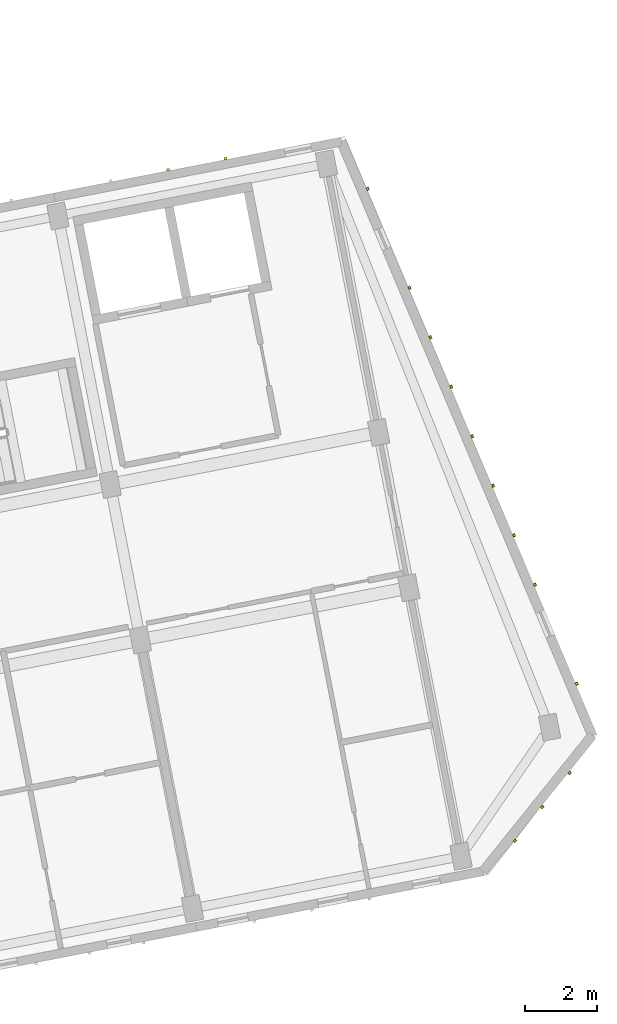
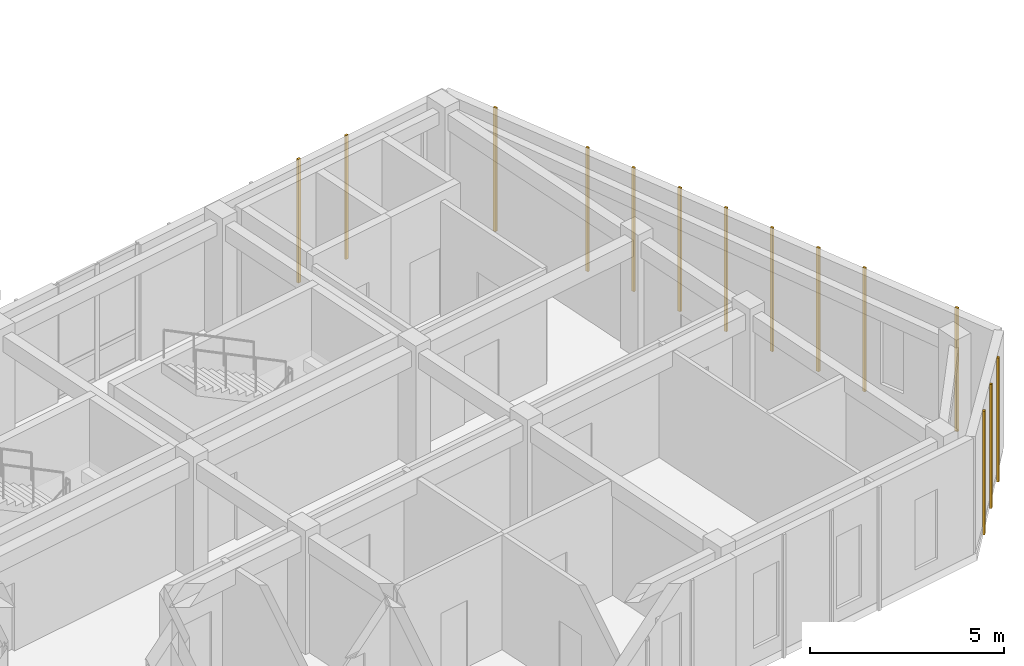
# One storey, part 144 of 150: 14 coverings.
"""IFC4 building model written with IfcOpenShell, lengths in metres."""

import ifcopenshell
import ifcopenshell.guid

model = None  # the IFC model being written
_history = None  # IfcOwnerHistory: only IFC2X3 demands one
_inside = {}  # id of a spatial element -> (the spatial element, [elements in it])
_under = {}  # id of a project, library or spatial element -> (it, [spatial elements below it])
_declared = {}  # id of a project -> (the project, [libraries it declares])
_typed = {}  # id of a type object -> (the type object, [elements of that type])
_made_of = {}  # id of a material, layer set ... -> (it, [elements and type objects made of it])


def new_model(schema):
    """Start an empty IFC model of exactly this schema.

    Asked for "IFC4X3", IfcOpenShell would pick the latest addendum, in which some entities
    have other attributes; the version numbers below select the first issue.
    IFC2X3 requires an IfcOwnerHistory on every rooted entity: one is made here for all.
    """
    global model, _history
    if schema == "IFC4X3":
        model = ifcopenshell.file(schema_version=(4, 3, 0, 0))
    else:
        model = ifcopenshell.file(schema=schema)
    _inside.clear()
    _under.clear()
    _declared.clear()
    _typed.clear()
    _made_of.clear()
    _history = None
    if model.schema == "IFC2X3":
        org = make("IfcOrganization", Name="unknown")
        user = make(
            "IfcPersonAndOrganization",
            ThePerson=make("IfcPerson", FamilyName="unknown"),
            TheOrganization=org,
        )
        app = make(
            "IfcApplication",
            ApplicationDeveloper=org,
            Version="unknown",
            ApplicationFullName="unknown",
            ApplicationIdentifier="unknown",
        )
        _history = make(
            "IfcOwnerHistory",
            OwningUser=user,
            OwningApplication=app,
            ChangeAction="ADDED",
            CreationDate=0,
        )
    return model


def make(cls, **values):
    """One entity of the class cls with the attributes given. An attribute that is None is left unset."""
    return model.create_entity(
        cls, **{name: value for name, value in values.items() if value is not None}
    )


def rooted(cls, **values):
    """An entity with a GlobalId (a new one), such as an element, a storey or a relation."""
    return make(cls, GlobalId=ifcopenshell.guid.new(), OwnerHistory=_history, **values)


def si_unit(unit_type, name, prefix=None):
    """IfcSIUnit, for example si_unit("LENGTHUNIT", "METRE", prefix="MILLI")."""
    return make("IfcSIUnit", UnitType=unit_type, Prefix=prefix, Name=name)


def assignment(units):
    """IfcUnitAssignment: the units of a project."""
    return None if units is None else make("IfcUnitAssignment", Units=units)


def point(xyz):
    """IfcCartesianPoint."""
    return None if xyz is None else make("IfcCartesianPoint", Coordinates=xyz)


def direction(xyz):
    """IfcDirection."""
    return None if xyz is None else make("IfcDirection", DirectionRatios=xyz)


def frame(location, z_axis=None, x_axis=None):
    """IfcAxis2Placement3D, a coordinate frame: its origin and axes. An axis left out is left unset."""
    return make(
        "IfcAxis2Placement3D",
        Location=point(location),
        Axis=direction(z_axis),
        RefDirection=direction(x_axis),
    )


def frame_2d(location, x_axis=None):
    """IfcAxis2Placement2D, a coordinate frame in the plane: its origin and x axis."""
    return make(
        "IfcAxis2Placement2D", Location=point(location), RefDirection=direction(x_axis)
    )


def origin():
    """The frame at (0, 0, 0) with its axes left unset."""
    return frame((0.0, 0.0, 0.0))


def origin_2d():
    """The frame at (0, 0) in the plane with its x axis left unset."""
    return frame_2d((0.0, 0.0))


def place(relative_to, where):
    """IfcLocalPlacement: puts the frame where relative to a parent placement (None: the world)."""
    return make(
        "IfcLocalPlacement", PlacementRelTo=relative_to, RelativePlacement=where
    )


def context(
    kind, dimensions, precision=None, world=None, true_north=None, identifier=None
):
    """IfcGeometricRepresentationContext, for example the 3D "Model" context."""
    return make(
        "IfcGeometricRepresentationContext",
        ContextIdentifier=identifier,
        ContextType=kind,
        CoordinateSpaceDimension=dimensions,
        Precision=precision,
        WorldCoordinateSystem=world,
        TrueNorth=true_north,
    )


def subcontext(parent, identifier, kind, view, scale=None):
    """IfcGeometricRepresentationSubContext, for example "Body" below "Model"."""
    return make(
        "IfcGeometricRepresentationSubContext",
        ContextIdentifier=identifier,
        ContextType=kind,
        ParentContext=parent,
        TargetScale=scale,
        TargetView=view,
    )


def project(units=None, contexts=None):
    """IfcProject with its units and contexts."""
    return rooted(
        "IfcProject",
        Name="project",
        RepresentationContexts=contexts,
        UnitsInContext=assignment(units),
    )


def spatial(cls, under=None, at=None, **own):
    """A site, building, storey or space (cls), placed at a placement, below another one or the project."""
    s = rooted(cls, ObjectPlacement=at, **own)
    if under is not None:
        _under.setdefault(under.id(), (under, []))[1].append(s)
    return s


def profile(cls, at=None, kind="AREA", **sizes):
    """A parametric profile (cls). Its sizes go by their IFC names, for example OverallWidth=200.0."""
    return make(cls, ProfileType=kind, Position=at, **sizes)


def rectangle(**sizes):
    """IfcRectangleProfileDef."""
    return profile("IfcRectangleProfileDef", **sizes)


def extrude(swept, where, along, depth):
    """IfcExtrudedAreaSolid: the profile swept, set in the frame where, extruded along a direction by depth."""
    return make(
        "IfcExtrudedAreaSolid",
        SweptArea=swept,
        Position=where,
        ExtrudedDirection=direction(along),
        Depth=depth,
    )


def shape(context_of_items, identifier, shape_type, items):
    """IfcShapeRepresentation: the items that make up one representation, for example the "Body"."""
    return make(
        "IfcShapeRepresentation",
        ContextOfItems=context_of_items,
        RepresentationIdentifier=identifier,
        RepresentationType=shape_type,
        Items=items,
    )


def material(Name=None, Category=None):
    """IfcMaterial."""
    return make("IfcMaterial", Name=Name, Category=Category)


def layer(
    of_material, thickness, ventilated=None, Name=None, Category=None, Priority=None
):
    """IfcMaterialLayer: one layer of a wall or slab, of a material (None: an air gap)."""
    return make(
        "IfcMaterialLayer",
        Material=of_material,
        LayerThickness=thickness,
        IsVentilated=ventilated,
        Name=Name,
        Category=Category,
        Priority=Priority,
    )


def layer_set(layers, Name=None):
    """IfcMaterialLayerSet."""
    return make("IfcMaterialLayerSet", MaterialLayers=layers, LayerSetName=Name)


def made_of(thing, what):
    """Note that an element or type object is made of a material, layer set ...; save() writes the relation."""
    if what is not None:
        _made_of.setdefault(what.id(), (what, []))[1].append(thing)
    return thing


def type_object(cls, material=None, **own):
    """A type object (cls), such as IfcWallType, which elements share."""
    return made_of(rooted(cls, **own), material)


def element(
    cls,
    number,
    at=None,
    inside=None,
    cuts=None,
    type_object=None,
    material=None,
    context=None,
    identifier="Body",
    shape_type=None,
    held_by="IfcProductDefinitionShape",
    body=None,
    shapes=None,
    **own,
):
    """One element of the class cls, such as IfcWall. Its Tag is "e" and its number.

    at: its placement. inside: the storey or other place that contains it. cuts: it is an
    opening in that element (IfcRelVoidsElement). A single representation is given by context,
    identifier, shape_type and body (its items); several are given by shapes. held_by: the class
    of the entity that holds the representations. save() writes the other relations.
    """
    e = rooted(cls, Tag="e%d" % number, ObjectPlacement=at, **own)
    if body is not None:
        shapes = [shape(context, identifier, shape_type, body)]
    if shapes is not None:
        e.Representation = make(held_by, Representations=shapes)
    if inside is not None:
        _inside.setdefault(inside.id(), (inside, []))[1].append(e)
    if cuts is not None:
        rooted(
            "IfcRelVoidsElement", RelatingBuildingElement=cuts, RelatedOpeningElement=e
        )
    if type_object is not None:
        _typed.setdefault(type_object.id(), (type_object, []))[1].append(e)
    return made_of(e, material)


def aggregate(whole, parts):
    """IfcRelAggregates: a whole, such as a stair, and the parts it consists of."""
    return rooted("IfcRelAggregates", RelatingObject=whole, RelatedObjects=parts)


def save(model, path):
    """Write the relations noted so far, then the file.

    IfcRelAggregates (storeys below a building ...), IfcRelContainedInSpatialStructure (elements
    in a storey), IfcRelDefinesByType, IfcRelAssociatesMaterial and IfcRelDeclares: one each for
    every whole, place, type object, material and project.
    """
    for whole, parts in _under.values():
        aggregate(whole, parts)
    for where, things in _inside.values():
        rooted(
            "IfcRelContainedInSpatialStructure",
            RelatedElements=things,
            RelatingStructure=where,
        )
    for kind, things in _typed.values():
        rooted("IfcRelDefinesByType", RelatedObjects=things, RelatingType=kind)
    for what, things in _made_of.values():
        rooted("IfcRelAssociatesMaterial", RelatedObjects=things, RelatingMaterial=what)
    for by, libraries in _declared.values():
        rooted("IfcRelDeclares", RelatingContext=by, RelatedDefinitions=libraries)
    model.write(path)


model = new_model("IFC4")

# Units and contexts
model_context = context("Model", 3, precision=1e-05, world=origin(), true_north=direction((0.0, 1.0)))
body_context = subcontext(model_context, "Body", "Model", "MODEL_VIEW")
ifc_project = project(units=[si_unit("LENGTHUNIT", "METRE"), si_unit("AREAUNIT", "SQUARE_METRE"), si_unit("VOLUMEUNIT", "CUBIC_METRE"), si_unit("PLANEANGLEUNIT", "RADIAN"), si_unit("MASSUNIT", "GRAM", prefix="KILO")], contexts=[model_context])

# Site, building, storey
site_placement = place(None, origin())
site = spatial("IfcSite", under=ifc_project, at=site_placement, CompositionType="ELEMENT")
building_placement = place(site_placement, origin())
building = spatial("IfcBuilding", under=site, at=building_placement, Name="Kestramere Prow Commons", CompositionType="ELEMENT")
storey_placement = place(building_placement, frame((0.0, 0.0, 4.5)))
storey = spatial("IfcBuildingStorey", under=building, at=storey_placement, Name="L01", CompositionType="ELEMENT", Elevation=4.5)

# Coverings
ifc_material = material(Name="Weathered Zinc-Titanium Standing-Seam Cladding")
ifc_layer = layer(ifc_material, 0.074951171875)
ifc_layer_set = layer_set([ifc_layer], Name="Weathered Zinc-Titanium Standing-Seam Cladding")
covering_type = type_object("IfcCoveringType", Name="COV-CLAD-SEAM", PredefinedType="CLADDING", material=ifc_layer_set)
for number, where, z_axis, x_axis, name in (
    (1, (155.02294921875, 61.77587890625, -0.25), (0.0, 0.0, 1.0), (0.981627183448, 0.190808995377, 0.0), "EW-D-L01-N-5 Standing-Seam Rib 2"),
    (2, (156.6181640625, 62.0859375, -0.25), (0.0, 0.0, 1.0), (0.981627183448, 0.190808995377, 0.0), "EW-D-L01-N-5 Standing-Seam Rib 3"),
    (3, (160.568115234375, 61.24462890625, -0.25), (0.0, 0.0, 1.0), (0.389220414317, -0.92114465155, 0.0), "EW-D-L01-PRW-N Standing-Seam Rib 1"),
    (4, (161.72998046875, 58.4951171875, -0.25), (0.0, 0.0, 1.0), (0.389220414317, -0.92114465155, 0.0), "EW-D-L01-PRW-N Standing-Seam Rib 3"),
    (5, (162.310791015625, 57.1201171875, -0.25), (0.0, 0.0, 1.0), (0.389220414317, -0.92114465155, 0.0), "EW-D-L01-PRW-N Standing-Seam Rib 4"),
    (6, (162.891845703125, 55.745361328125, -0.25), (0.0, 0.0, 1.0), (0.389220414317, -0.92114465155, 0.0), "EW-D-L01-PRW-N Standing-Seam Rib 5"),
    (7, (163.47265625, 54.37060546875, -0.25), (0.0, 0.0, 1.0), (0.389220414317, -0.92114465155, 0.0), "EW-D-L01-PRW-N Standing-Seam Rib 6"),
    (8, (164.0537109375, 52.995849609375, -0.25), (0.0, 0.0, 1.0), (0.389220414317, -0.92114465155, 0.0), "EW-D-L01-PRW-N Standing-Seam Rib 7"),
    (9, (164.634521484375, 51.620849609375, -0.25), (0.0, 0.0, 1.0), (0.389220414317, -0.92114465155, 0.0), "EW-D-L01-PRW-N Standing-Seam Rib 8"),
    (10, (165.215576171875, 50.24609375, -0.25), (0.0, 0.0, 1.0), (0.389220414317, -0.92114465155, 0.0), "EW-D-L01-PRW-N Standing-Seam Rib 9"),
    (11, (166.37744140625, 47.496337890625, -0.25), (0.0, 0.0, 1.0), (0.389220414317, -0.92114465155, 0.0), "EW-D-L01-PRW-N Standing-Seam Rib 11"),
    (12, (166.177490234375, 45.013427734375, -0.25), (0.0, 0.0, 1.0), (-0.626297717754, -0.779583971575, 0.0), "EW-D-L01-PRW-S Standing-Seam Rib 1"),
    (13, (165.419921875, 44.0703125, -0.25), (0.0, 0.0, 1.0), (-0.626297717754, -0.779583971575, 0.0), "EW-D-L01-PRW-S Standing-Seam Rib 2"),
    (14, (164.662109375, 43.127197265625, -0.25), (0.0, 0.0, 1.0), (-0.626297717754, -0.779583971575, 0.0), "EW-D-L01-PRW-S Standing-Seam Rib 3"),
):
    element("IfcCovering", number, at=place(storey_placement, frame(where, z_axis=z_axis, x_axis=x_axis)), inside=storey, type_object=covering_type, Name=name, PredefinedType="CLADDING", context=body_context, shape_type="SweptSolid", body=[
        extrude(rectangle(XDim=0.0849609375, YDim=0.06494140625, at=origin_2d()), origin(), (0.0, 0.0, 1.0), 3.89990234375),
    ])

save(model, "model.ifc")
